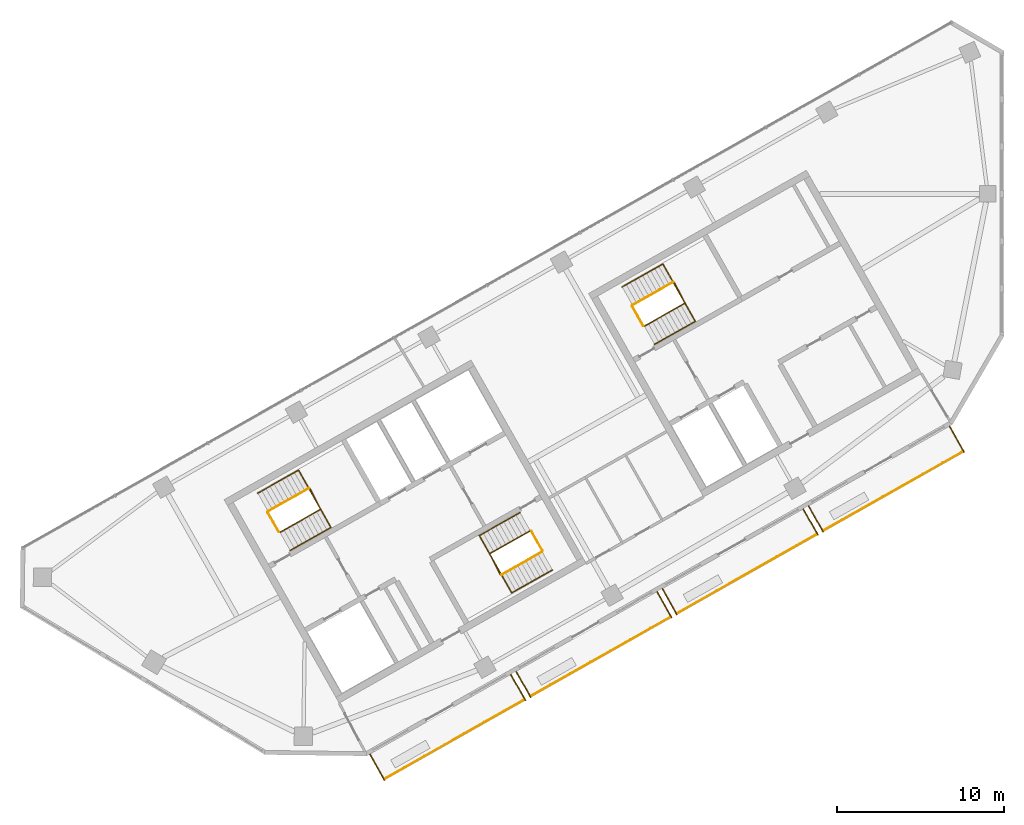
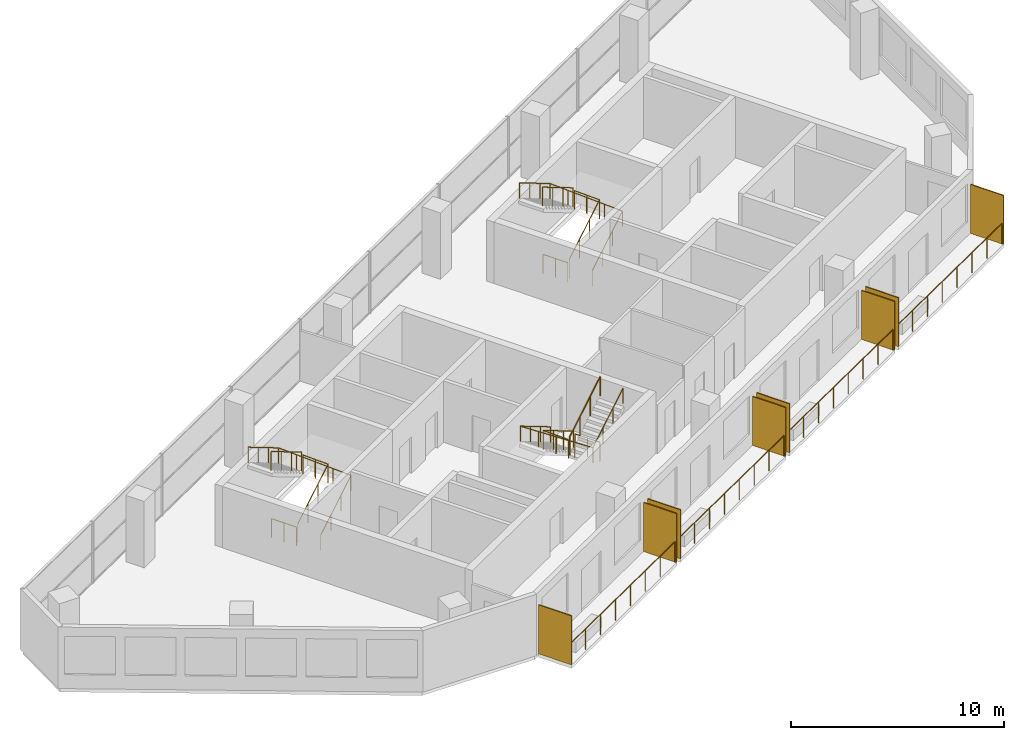
# One storey, part 9 of 10: 16 railings, 8 shading devices.
"""IFC4 building model written with IfcOpenShell, lengths in metres."""

from ifc_helpers import new_model, si_unit, direction, frame, origin, origin_2d, place, context, subcontext, project, spatial, rectangle, circle, extrude, material, layer, layer_set, type_object, element, save


model = new_model("IFC4")

# Units and contexts
model_context = context("Model", 3, precision=1e-05, world=origin(), true_north=direction((0.0, 1.0)))
body_context = subcontext(model_context, "Body", "Model", "MODEL_VIEW")
ifc_project = project(units=[si_unit("LENGTHUNIT", "METRE"), si_unit("AREAUNIT", "SQUARE_METRE"), si_unit("VOLUMEUNIT", "CUBIC_METRE"), si_unit("PLANEANGLEUNIT", "RADIAN"), si_unit("MASSUNIT", "GRAM", prefix="KILO")], contexts=[model_context])

# Site, building, storey
site_placement = place(None, origin())
site = spatial("IfcSite", under=ifc_project, at=site_placement, CompositionType="ELEMENT")
building_placement = place(site_placement, origin())
building = spatial("IfcBuilding", under=site, at=building_placement, Name="Binnacle Exchange Tower", CompositionType="ELEMENT")
storey_placement = place(building_placement, frame((0.0, 0.0, 327.89990234375)))
storey = spatial("IfcBuildingStorey", under=building, at=storey_placement, Name="L74", CompositionType="ELEMENT", Elevation=327.89990234375)

# Railings
ifc_material_1 = material(Name="Bronze anodised aluminium frame", Category="aluminium")
railing_type_1 = type_object("IfcRailingType", Name="GUARD 1200", PredefinedType="GUARDRAIL", material=ifc_material_1)
for number, where, name in (
    (1, (-37.006591796875, 24.94287109375, 0.0), "Balcony guard H07-B00 L74"),
    (2, (-28.24365234375, 29.900634765625, 0.0), "Balcony guard H07-B01 L74"),
):
    element("IfcRailing", number, at=place(storey_placement, frame(where)), inside=storey, type_object=railing_type_1, Name=name, PredefinedType="GUARDRAIL", context=body_context, shape_type="SweptSolid", body=[
        extrude(circle(Radius=0.02392578125, at=origin_2d()), frame((0.0, 0.0, 1.17578125), z_axis=(0.870359171481, 0.492417417055, 0.0), x_axis=(-0.492417417055, 0.870359171481, 0.0)), (0.0, 0.0, 1.0), 9.648193359375),
        extrude(circle(Radius=0.02099609375, at=origin_2d()), origin(), (0.0, 0.0, 1.0), 1.15185546875),
        extrude(circle(Radius=0.02099609375, at=origin_2d()), frame((1.19970703125, 0.6787109375, 0.0)), (0.0, 0.0, 1.0), 1.15185546875),
        extrude(circle(Radius=0.02099609375, at=origin_2d()), frame((2.399169921875, 1.357421875, 0.0)), (0.0, 0.0, 1.0), 1.15185546875),
        extrude(circle(Radius=0.02099609375, at=origin_2d()), frame((3.598876953125, 2.0361328125, 0.0)), (0.0, 0.0, 1.0), 1.15185546875),
        extrude(circle(Radius=0.02099609375, at=origin_2d()), frame((4.798583984375, 2.71484375, 0.0)), (0.0, 0.0, 1.0), 1.15185546875),
        extrude(circle(Radius=0.02099609375, at=origin_2d()), frame((5.998291015625, 3.3935546875, 0.0)), (0.0, 0.0, 1.0), 1.15185546875),
        extrude(circle(Radius=0.02099609375, at=origin_2d()), frame((7.19775390625, 4.072265625, 0.0)), (0.0, 0.0, 1.0), 1.15185546875),
        extrude(circle(Radius=0.02099609375, at=origin_2d()), frame((8.3974609375, 4.7509765625, 0.0)), (0.0, 0.0, 1.0), 1.15185546875),
    ])
railing_1_placement = place(storey_placement, frame((-19.480712890625, 34.8583984375, 0.0)))
element("IfcRailing", 3, at=railing_1_placement, inside=storey, type_object=railing_type_1, Name="Balcony guard H07-B02 L74", PredefinedType="GUARDRAIL", context=body_context, shape_type="SweptSolid", body=[
    extrude(circle(Radius=0.02392578125, at=origin_2d()), frame((0.0, 0.0, 1.17578125), z_axis=(0.870342190373, 0.492447430349, 0.0), x_axis=(-0.492447430349, 0.870342190373, 0.0)), (0.0, 0.0, 1.0), 9.648193359375),
    extrude(circle(Radius=0.02099609375, at=origin_2d()), origin(), (0.0, 0.0, 1.0), 1.15185546875),
    extrude(circle(Radius=0.02099609375, at=origin_2d()), frame((1.19970703125, 0.6787109375, 0.0)), (0.0, 0.0, 1.0), 1.15185546875),
    extrude(circle(Radius=0.02099609375, at=origin_2d()), frame((2.399169921875, 1.357421875, 0.0)), (0.0, 0.0, 1.0), 1.15185546875),
    extrude(circle(Radius=0.02099609375, at=origin_2d()), frame((3.598876953125, 2.0361328125, 0.0)), (0.0, 0.0, 1.0), 1.15185546875),
    extrude(circle(Radius=0.02099609375, at=origin_2d()), frame((4.79833984375, 2.715087890625, 0.0)), (0.0, 0.0, 1.0), 1.15185546875),
    extrude(circle(Radius=0.02099609375, at=origin_2d()), frame((5.998046875, 3.393798828125, 0.0)), (0.0, 0.0, 1.0), 1.15185546875),
    extrude(circle(Radius=0.02099609375, at=origin_2d()), frame((7.197509765625, 4.072509765625, 0.0)), (0.0, 0.0, 1.0), 1.15185546875),
    extrude(circle(Radius=0.02099609375, at=origin_2d()), frame((8.397216796875, 4.751220703125, 0.0)), (0.0, 0.0, 1.0), 1.15185546875),
])
railing_2_placement = place(storey_placement, frame((-10.7177734375, 39.81640625, 0.0)))
element("IfcRailing", 4, at=railing_2_placement, inside=storey, type_object=railing_type_1, Name="Balcony guard H07-B03 L74", PredefinedType="GUARDRAIL", context=body_context, shape_type="SweptSolid", body=[
    extrude(circle(Radius=0.02392578125, at=origin_2d()), frame((0.0, 0.0, 1.17578125), z_axis=(0.870353035673, 0.492428262079, 0.0), x_axis=(-0.492428262079, 0.870353035673, 0.0)), (0.0, 0.0, 1.0), 9.64794921875),
    extrude(circle(Radius=0.02099609375, at=origin_2d()), origin(), (0.0, 0.0, 1.0), 1.15185546875),
    extrude(circle(Radius=0.02099609375, at=origin_2d()), frame((1.19970703125, 0.6787109375, 0.0)), (0.0, 0.0, 1.0), 1.15185546875),
    extrude(circle(Radius=0.02099609375, at=origin_2d()), frame((2.399169921875, 1.357421875, 0.0)), (0.0, 0.0, 1.0), 1.15185546875),
    extrude(circle(Radius=0.02099609375, at=origin_2d()), frame((3.598876953125, 2.0361328125, 0.0)), (0.0, 0.0, 1.0), 1.15185546875),
    extrude(circle(Radius=0.02099609375, at=origin_2d()), frame((4.79833984375, 2.71484375, 0.0)), (0.0, 0.0, 1.0), 1.15185546875),
    extrude(circle(Radius=0.02099609375, at=origin_2d()), frame((5.998046875, 3.3935546875, 0.0)), (0.0, 0.0, 1.0), 1.15185546875),
    extrude(circle(Radius=0.02099609375, at=origin_2d()), frame((7.197509765625, 4.072265625, 0.0)), (0.0, 0.0, 1.0), 1.15185546875),
    extrude(circle(Radius=0.02099609375, at=origin_2d()), frame((8.397216796875, 4.7509765625, 0.0)), (0.0, 0.0, 1.0), 1.15185546875),
])

# Shading devices
ifc_material_2 = material(Name="Bronze aluminium louvre", Category="aluminium")
ifc_layer = layer(ifc_material_2, 0.06005859375)
ifc_layer_set = layer_set([ifc_layer], Name="PLANTED SCREEN 60x2800")
shading_device_type = type_object("IfcShadingDeviceType", Name="PLANTED SCREEN 60x2800", PredefinedType="USERDEFINED", material=ifc_layer_set)
for number, where, z_axis, x_axis, name in (
    (5, (-37.436279296875, 25.641845703125, 0.0), (0.0, 0.0, 1.0), (0.87035569594, 0.492423560103, 0.0), "Planted screen H07-B00a L74"),
    (6, (-28.98681640625, 30.42236328125, 0.0), (0.0, 0.0, 1.0), (0.87035569594, 0.492423560103, 0.0), "Planted screen H07-B00b L74"),
    (7, (-28.673583984375, 30.599609375, 0.0), (0.0, 0.0, 1.0), (0.87035569594, 0.492423560103, 0.0), "Planted screen H07-B01a L74"),
    (8, (-20.223876953125, 35.380126953125, 0.0), (0.0, 0.0, 1.0), (0.87035569594, 0.492423560103, 0.0), "Planted screen H07-B01b L74"),
    (9, (-19.91064453125, 35.5576171875, 0.0), (0.0, 0.0, 1.0), (0.87035569594, 0.492423560103, 0.0), "Planted screen H07-B02a L74"),
    (10, (-11.461181640625, 40.337890625, 0.0), (0.0, 0.0, 1.0), (0.87035569594, 0.492423560103, 0.0), "Planted screen H07-B02b L74"),
    (11, (-11.147705078125, 40.51513671875, 0.0), (0.0, 0.0, 1.0), (0.87035569594, 0.492423560103, 0.0), "Planted screen H07-B03a L74"),
    (12, (-2.697998046875, 45.2958984375, 0.0), (0.0, 0.0, 1.0), (0.87035569594, 0.492423560103, 0.0), "Planted screen H07-B03b L74"),
):
    element("IfcShadingDevice", number, at=place(storey_placement, frame(where, z_axis=z_axis, x_axis=x_axis)), inside=storey, type_object=shading_device_type, Name=name, ObjectType="SCREEN", PredefinedType="USERDEFINED", context=body_context, shape_type="SweptSolid", body=[
        extrude(rectangle(XDim=0.06005859375, YDim=1.800048828125, at=origin_2d()), origin(), (0.0, 0.0, 1.0), 2.800048828125),
    ])

# Railings
ifc_material_3 = material(Name="Steel guard rail", Category="steel")
railing_type_2 = type_object("IfcRailingType", Name="STAIR GUARD 1100", PredefinedType="GUARDRAIL", material=ifc_material_3)
railing_3_placement = place(storey_placement, frame((-43.26171875, 39.71728515625, 0.1728515625)))
element("IfcRailing", 13, at=railing_3_placement, inside=storey, type_object=railing_type_2, Name="L74 STA1 stair guard 1", PredefinedType="GUARDRAIL", context=body_context, shape_type="SweptSolid", body=[
    extrude(circle(Radius=0.02392578125, at=origin_2d()), frame((0.0, 0.0, 1.076171875), z_axis=(0.740737961854, 0.419123222656, 0.525017138862), x_axis=(-0.492453686477, 0.870338650569, 0.0)), (0.0, 0.0, 1.0), 3.2900390625),
    extrude(circle(Radius=0.02392578125, at=origin_2d()), frame((2.43701171875, 1.37890625, 2.80322265625), z_axis=(-0.461100321709, 0.887348011391, 0.0), x_axis=(-0.887348011391, -0.461100321709, 0.0)), (0.0, 0.0, 1.0), 1.40087890625),
    extrude(circle(Radius=0.02099609375, at=origin_2d()), origin(), (0.0, 0.0, 1.0), 1.052001953125),
    extrude(circle(Radius=0.02099609375, at=origin_2d()), frame((0.812255859375, 0.459716796875, 0.57568359375)), (0.0, 0.0, 1.0), 1.052001953125),
    extrude(circle(Radius=0.02099609375, at=origin_2d()), frame((1.624755859375, 0.919189453125, 1.151611328125)), (0.0, 0.0, 1.0), 1.052001953125),
    extrude(circle(Radius=0.02099609375, at=origin_2d()), frame((2.43701171875, 1.37890625, 1.727294921875)), (0.0, 0.0, 1.0), 1.052001953125),
    extrude(circle(Radius=0.02099609375, at=origin_2d()), frame((2.114013671875, 2.00048828125, 1.727294921875)), (0.0, 0.0, 1.0), 1.052001953125),
    extrude(circle(Radius=0.02099609375, at=origin_2d()), frame((1.791015625, 2.6220703125, 1.727294921875)), (0.0, 0.0, 1.0), 1.052001953125),
])
railing_4_placement = place(storey_placement, frame((-41.538818359375, 42.358154296875, 2.07275390625)))
element("IfcRailing", 14, at=railing_4_placement, inside=storey, type_object=railing_type_2, Name="L74 STA1 stair guard 2", PredefinedType="GUARDRAIL", context=body_context, shape_type="SweptSolid", body=[
    extrude(circle(Radius=0.02392578125, at=origin_2d()), frame((0.0, 0.0, 1.076171875), z_axis=(-0.740737961854, -0.419123222656, 0.525017138862), x_axis=(0.492453686477, -0.870338650569, 0.0)), (0.0, 0.0, 1.0), 3.2900390625),
    extrude(circle(Radius=0.02099609375, at=origin_2d()), origin(), (0.0, 0.0, 1.0), 1.052001953125),
    extrude(circle(Radius=0.02099609375, at=origin_2d()), frame((-0.812255859375, -0.459716796875, 0.57568359375)), (0.0, 0.0, 1.0), 1.052001953125),
    extrude(circle(Radius=0.02099609375, at=origin_2d()), frame((-1.624755859375, -0.919189453125, 1.151611328125)), (0.0, 0.0, 1.0), 1.052001953125),
    extrude(circle(Radius=0.02099609375, at=origin_2d()), frame((-2.43701171875, -1.37890625, 1.727294921875)), (0.0, 0.0, 1.0), 1.052001953125),
])
railing_5_placement = place(storey_placement, frame((-43.329833984375, 39.736328125, 0.0)))
element("IfcRailing", 15, at=railing_5_placement, inside=storey, type_object=railing_type_2, Name="L74 STA1 stair guard 3", PredefinedType="GUARDRAIL", context=body_context, shape_type="SweptSolid", body=[
    extrude(circle(Radius=0.02392578125, at=origin_2d()), frame((0.0, 0.0, 1.076171875), z_axis=(-0.4924922531, 0.870316827734, 0.0), x_axis=(-0.870316827734, -0.4924922531, 0.0)), (0.0, 0.0, 1.0), 1.349853515625),
    extrude(circle(Radius=0.02099609375, at=origin_2d()), origin(), (0.0, 0.0, 1.0), 1.052001953125),
    extrude(circle(Radius=0.02099609375, at=origin_2d()), frame((-0.33251953125, 0.58740234375, 0.0)), (0.0, 0.0, 1.0), 1.052001953125),
    extrude(circle(Radius=0.02099609375, at=origin_2d()), frame((-0.664794921875, 1.1748046875, 0.0)), (0.0, 0.0, 1.0), 1.052001953125),
])
railing_6_placement = place(storey_placement, frame((-28.265380859375, 39.814453125, 0.1728515625)))
element("IfcRailing", 16, at=railing_6_placement, inside=storey, type_object=railing_type_2, Name="L74 STA2 stair guard 1", PredefinedType="GUARDRAIL", context=body_context, shape_type="SweptSolid", body=[
    extrude(circle(Radius=0.02392578125, at=origin_2d()), frame((0.0, 0.0, 1.076171875), z_axis=(-0.740760999345, -0.419062048017, 0.525033467278), x_axis=(0.492387636113, -0.870376019777, 0.0)), (0.0, 0.0, 1.0), 3.289794921875),
    extrude(circle(Radius=0.02392578125, at=origin_2d()), frame((-2.43701171875, -1.378662109375, 2.80322265625), z_axis=(0.460963092712, -0.887419307406, 0.0), x_axis=(0.887419307406, 0.460963092712, 0.0)), (0.0, 0.0, 1.0), 1.40087890625),
    extrude(circle(Radius=0.02099609375, at=origin_2d()), origin(), (0.0, 0.0, 1.0), 1.052001953125),
    extrude(circle(Radius=0.02099609375, at=origin_2d()), frame((-0.812255859375, -0.45947265625, 0.57568359375)), (0.0, 0.0, 1.0), 1.052001953125),
    extrude(circle(Radius=0.02099609375, at=origin_2d()), frame((-1.624755859375, -0.919189453125, 1.151611328125)), (0.0, 0.0, 1.0), 1.052001953125),
    extrude(circle(Radius=0.02099609375, at=origin_2d()), frame((-2.43701171875, -1.378662109375, 1.727294921875)), (0.0, 0.0, 1.0), 1.052001953125),
    extrude(circle(Radius=0.02099609375, at=origin_2d()), frame((-2.1142578125, -2.000244140625, 1.727294921875)), (0.0, 0.0, 1.0), 1.052001953125),
    extrude(circle(Radius=0.02099609375, at=origin_2d()), frame((-1.791259765625, -2.621826171875, 1.727294921875)), (0.0, 0.0, 1.0), 1.052001953125),
])
railing_7_placement = place(storey_placement, frame((-29.988525390625, 37.173583984375, 2.07275390625)))
element("IfcRailing", 17, at=railing_7_placement, inside=storey, type_object=railing_type_2, Name="L74 STA2 stair guard 2", PredefinedType="GUARDRAIL", context=body_context, shape_type="SweptSolid", body=[
    extrude(circle(Radius=0.02392578125, at=origin_2d()), frame((0.0, 0.0, 1.076171875), z_axis=(0.740737961854, 0.419123222656, 0.525017138862), x_axis=(-0.492453686477, 0.870338650569, 0.0)), (0.0, 0.0, 1.0), 3.2900390625),
    extrude(circle(Radius=0.02099609375, at=origin_2d()), origin(), (0.0, 0.0, 1.0), 1.052001953125),
    extrude(circle(Radius=0.02099609375, at=origin_2d()), frame((0.812255859375, 0.459716796875, 0.57568359375)), (0.0, 0.0, 1.0), 1.052001953125),
    extrude(circle(Radius=0.02099609375, at=origin_2d()), frame((1.624755859375, 0.919189453125, 1.151611328125)), (0.0, 0.0, 1.0), 1.052001953125),
    extrude(circle(Radius=0.02099609375, at=origin_2d()), frame((2.43701171875, 1.37890625, 1.727294921875)), (0.0, 0.0, 1.0), 1.052001953125),
])
railing_8_placement = place(storey_placement, frame((-28.197265625, 39.795654296875, 0.0)))
element("IfcRailing", 18, at=railing_8_placement, inside=storey, type_object=railing_type_2, Name="L74 STA2 stair guard 3", PredefinedType="GUARDRAIL", context=body_context, shape_type="SweptSolid", body=[
    extrude(circle(Radius=0.02392578125, at=origin_2d()), frame((0.0, 0.0, 1.076171875), z_axis=(0.49241474071, -0.870360685654, 0.0), x_axis=(0.870360685654, 0.49241474071, 0.0)), (0.0, 0.0, 1.0), 1.35009765625),
    extrude(circle(Radius=0.02099609375, at=origin_2d()), origin(), (0.0, 0.0, 1.0), 1.052001953125),
    extrude(circle(Radius=0.02099609375, at=origin_2d()), frame((0.33251953125, -0.58740234375, 0.0)), (0.0, 0.0, 1.0), 1.052001953125),
    extrude(circle(Radius=0.02099609375, at=origin_2d()), frame((0.664794921875, -1.175048828125, 0.0)), (0.0, 0.0, 1.0), 1.052001953125),
])
railing_9_placement = place(storey_placement, frame((-21.423828125, 52.07275390625, 0.1728515625)))
element("IfcRailing", 19, at=railing_9_placement, inside=storey, type_object=railing_type_2, Name="L74 STC1 stair guard 1", PredefinedType="GUARDRAIL", context=body_context, shape_type="SweptSolid", body=[
    extrude(circle(Radius=0.02392578125, at=origin_2d()), frame((0.0, 0.0, 1.076171875), z_axis=(0.740760999345, 0.419062048017, 0.525033467278), x_axis=(-0.492387636113, 0.870376019777, 0.0)), (0.0, 0.0, 1.0), 3.289794921875),
    extrude(circle(Radius=0.02392578125, at=origin_2d()), frame((2.43701171875, 1.378662109375, 2.80322265625), z_axis=(-0.460963092712, 0.887419307406, 0.0), x_axis=(-0.887419307406, -0.460963092712, 0.0)), (0.0, 0.0, 1.0), 1.40087890625),
    extrude(circle(Radius=0.02099609375, at=origin_2d()), origin(), (0.0, 0.0, 1.0), 1.052001953125),
    extrude(circle(Radius=0.02099609375, at=origin_2d()), frame((0.812255859375, 0.45947265625, 0.57568359375)), (0.0, 0.0, 1.0), 1.052001953125),
    extrude(circle(Radius=0.02099609375, at=origin_2d()), frame((1.624755859375, 0.919189453125, 1.151611328125)), (0.0, 0.0, 1.0), 1.052001953125),
    extrude(circle(Radius=0.02099609375, at=origin_2d()), frame((2.43701171875, 1.378662109375, 1.727294921875)), (0.0, 0.0, 1.0), 1.052001953125),
    extrude(circle(Radius=0.02099609375, at=origin_2d()), frame((2.1142578125, 2.000244140625, 1.727294921875)), (0.0, 0.0, 1.0), 1.052001953125),
    extrude(circle(Radius=0.02099609375, at=origin_2d()), frame((1.791259765625, 2.621826171875, 1.727294921875)), (0.0, 0.0, 1.0), 1.052001953125),
])
railing_10_placement = place(storey_placement, frame((-19.70068359375, 54.71337890625, 2.07275390625)))
element("IfcRailing", 20, at=railing_10_placement, inside=storey, type_object=railing_type_2, Name="L74 STC1 stair guard 2", PredefinedType="GUARDRAIL", context=body_context, shape_type="SweptSolid", body=[
    extrude(circle(Radius=0.02392578125, at=origin_2d()), frame((0.0, 0.0, 1.076171875), z_axis=(-0.740760999345, -0.419062048017, 0.525033467278), x_axis=(0.492387636113, -0.870376019777, 0.0)), (0.0, 0.0, 1.0), 3.289794921875),
    extrude(circle(Radius=0.02099609375, at=origin_2d()), origin(), (0.0, 0.0, 1.0), 1.052001953125),
    extrude(circle(Radius=0.02099609375, at=origin_2d()), frame((-0.812255859375, -0.45947265625, 0.57568359375)), (0.0, 0.0, 1.0), 1.052001953125),
    extrude(circle(Radius=0.02099609375, at=origin_2d()), frame((-1.624755859375, -0.919189453125, 1.151611328125)), (0.0, 0.0, 1.0), 1.052001953125),
    extrude(circle(Radius=0.02099609375, at=origin_2d()), frame((-2.43701171875, -1.378662109375, 1.727294921875)), (0.0, 0.0, 1.0), 1.052001953125),
])
railing_11_placement = place(storey_placement, frame((-21.491943359375, 52.091552734375, 0.0)))
element("IfcRailing", 21, at=railing_11_placement, inside=storey, type_object=railing_type_2, Name="L74 STC1 stair guard 3", PredefinedType="GUARDRAIL", context=body_context, shape_type="SweptSolid", body=[
    extrude(circle(Radius=0.02392578125, at=origin_2d()), frame((0.0, 0.0, 1.076171875), z_axis=(-0.49241474071, 0.870360685654, 0.0), x_axis=(-0.870360685654, -0.49241474071, 0.0)), (0.0, 0.0, 1.0), 1.35009765625),
    extrude(circle(Radius=0.02099609375, at=origin_2d()), origin(), (0.0, 0.0, 1.0), 1.052001953125),
    extrude(circle(Radius=0.02099609375, at=origin_2d()), frame((-0.33251953125, 0.58740234375, 0.0)), (0.0, 0.0, 1.0), 1.052001953125),
    extrude(circle(Radius=0.02099609375, at=origin_2d()), frame((-0.664794921875, 1.175048828125, 0.0)), (0.0, 0.0, 1.0), 1.052001953125),
])
ifc_material_4 = material(Name="Steel handrail", Category="steel")
railing_type_3 = type_object("IfcRailingType", Name="STAIR HANDRAIL 900", PredefinedType="HANDRAIL", material=ifc_material_4)
railing_12_placement = place(storey_placement, frame((-42.646240234375, 38.62939453125, 0.1728515625)))
element("IfcRailing", 22, at=railing_12_placement, inside=storey, type_object=railing_type_3, Name="L74 STA1 stair handrail 1", PredefinedType="HANDRAIL", context=body_context, shape_type="SweptSolid", body=[
    extrude(circle(Radius=0.02392578125, at=origin_2d()), frame((0.0, 0.0, 0.8759765625), z_axis=(0.740760999345, 0.419062048017, 0.525033467278), x_axis=(-0.492387636113, 0.870376019777, 0.0)), (0.0, 0.0, 1.0), 3.289794921875),
    extrude(circle(Radius=0.02392578125, at=origin_2d()), frame((2.43701171875, 1.378662109375, 2.60302734375), z_axis=(-0.491944173491, 0.869531549026, 0.043655645871), x_axis=(-0.870361318571, -0.492413622004, 0.0)), (0.0, 0.0, 1.0), 3.953857421875),
    extrude(circle(Radius=0.02392578125, at=origin_2d()), frame((0.491943359375, 4.816650390625, 2.77587890625), z_axis=(-0.740760999345, -0.419062048017, 0.525033467278), x_axis=(0.492387636113, -0.870376019777, 0.0)), (0.0, 0.0, 1.0), 3.289794921875),
    extrude(circle(Radius=0.02099609375, at=origin_2d()), origin(), (0.0, 0.0, 1.0), 0.851806640625),
    extrude(circle(Radius=0.02099609375, at=origin_2d()), frame((0.812255859375, 0.45947265625, 0.57568359375)), (0.0, 0.0, 1.0), 0.851806640625),
    extrude(circle(Radius=0.02099609375, at=origin_2d()), frame((1.624755859375, 0.919189453125, 1.151611328125)), (0.0, 0.0, 1.0), 0.851806640625),
    extrude(circle(Radius=0.02099609375, at=origin_2d()), frame((2.43701171875, 1.378662109375, 1.727294921875)), (0.0, 0.0, 1.0), 0.851806640625),
    extrude(circle(Radius=0.02099609375, at=origin_2d()), frame((1.95068359375, 2.23828125, 1.7705078125)), (0.0, 0.0, 1.0), 0.851806640625),
    extrude(circle(Radius=0.02099609375, at=origin_2d()), frame((1.46435546875, 3.09765625, 1.8134765625)), (0.0, 0.0, 1.0), 0.851806640625),
    extrude(circle(Radius=0.02099609375, at=origin_2d()), frame((0.978271484375, 3.95703125, 1.856689453125)), (0.0, 0.0, 1.0), 0.851806640625),
    extrude(circle(Radius=0.02099609375, at=origin_2d()), frame((0.491943359375, 4.816650390625, 1.89990234375)), (0.0, 0.0, 1.0), 0.851806640625),
    extrude(circle(Radius=0.02099609375, at=origin_2d()), frame((-0.3203125, 4.357177734375, 2.4755859375)), (0.0, 0.0, 1.0), 0.851806640625),
    extrude(circle(Radius=0.02099609375, at=origin_2d()), frame((-1.1328125, 3.8974609375, 3.051513671875)), (0.0, 0.0, 1.0), 0.851806640625),
    extrude(circle(Radius=0.02099609375, at=origin_2d()), frame((-1.945068359375, 3.43798828125, 3.627197265625)), (0.0, 0.0, 1.0), 0.851806640625),
])
railing_13_placement = place(storey_placement, frame((-28.880859375, 40.90234375, 0.1728515625)))
element("IfcRailing", 23, at=railing_13_placement, inside=storey, type_object=railing_type_3, Name="L74 STA2 stair handrail 1", PredefinedType="HANDRAIL", context=body_context, shape_type="SweptSolid", body=[
    extrude(circle(Radius=0.02392578125, at=origin_2d()), frame((0.0, 0.0, 0.8759765625), z_axis=(-0.740760999345, -0.419062048017, 0.525033467278), x_axis=(0.492387636113, -0.870376019777, 0.0)), (0.0, 0.0, 1.0), 3.289794921875),
    extrude(circle(Radius=0.02392578125, at=origin_2d()), frame((-2.43701171875, -1.378662109375, 2.60302734375), z_axis=(0.491944173491, -0.869531549026, 0.043655645871), x_axis=(0.870361318571, 0.492413622004, 0.0)), (0.0, 0.0, 1.0), 3.953857421875),
    extrude(circle(Radius=0.02392578125, at=origin_2d()), frame((-0.491943359375, -4.816650390625, 2.77587890625), z_axis=(0.740737961854, 0.419123222656, 0.525017138862), x_axis=(-0.492453686477, 0.870338650569, 0.0)), (0.0, 0.0, 1.0), 3.2900390625),
    extrude(circle(Radius=0.02099609375, at=origin_2d()), origin(), (0.0, 0.0, 1.0), 0.851806640625),
    extrude(circle(Radius=0.02099609375, at=origin_2d()), frame((-0.812255859375, -0.45947265625, 0.57568359375)), (0.0, 0.0, 1.0), 0.851806640625),
    extrude(circle(Radius=0.02099609375, at=origin_2d()), frame((-1.624755859375, -0.919189453125, 1.151611328125)), (0.0, 0.0, 1.0), 0.851806640625),
    extrude(circle(Radius=0.02099609375, at=origin_2d()), frame((-2.43701171875, -1.378662109375, 1.727294921875)), (0.0, 0.0, 1.0), 0.851806640625),
    extrude(circle(Radius=0.02099609375, at=origin_2d()), frame((-1.95068359375, -2.23828125, 1.7705078125)), (0.0, 0.0, 1.0), 0.851806640625),
    extrude(circle(Radius=0.02099609375, at=origin_2d()), frame((-1.46435546875, -3.09765625, 1.8134765625)), (0.0, 0.0, 1.0), 0.851806640625),
    extrude(circle(Radius=0.02099609375, at=origin_2d()), frame((-0.978271484375, -3.95703125, 1.856689453125)), (0.0, 0.0, 1.0), 0.851806640625),
    extrude(circle(Radius=0.02099609375, at=origin_2d()), frame((-0.491943359375, -4.816650390625, 1.89990234375)), (0.0, 0.0, 1.0), 0.851806640625),
    extrude(circle(Radius=0.02099609375, at=origin_2d()), frame((0.3203125, -4.35693359375, 2.4755859375)), (0.0, 0.0, 1.0), 0.851806640625),
    extrude(circle(Radius=0.02099609375, at=origin_2d()), frame((1.1328125, -3.8974609375, 3.051513671875)), (0.0, 0.0, 1.0), 0.851806640625),
    extrude(circle(Radius=0.02099609375, at=origin_2d()), frame((1.945068359375, -3.437744140625, 3.627197265625)), (0.0, 0.0, 1.0), 0.851806640625),
])
railing_14_placement = place(storey_placement, frame((-20.808349609375, 50.984619140625, 0.1728515625)))
element("IfcRailing", 24, at=railing_14_placement, inside=storey, type_object=railing_type_3, Name="L74 STC1 stair handrail 1", PredefinedType="HANDRAIL", context=body_context, shape_type="SweptSolid", body=[
    extrude(circle(Radius=0.02392578125, at=origin_2d()), frame((0.0, 0.0, 0.8759765625), z_axis=(0.740737961854, 0.419123222656, 0.525017138862), x_axis=(-0.492453686477, 0.870338650569, 0.0)), (0.0, 0.0, 1.0), 3.2900390625),
    extrude(circle(Radius=0.02392578125, at=origin_2d()), frame((2.43701171875, 1.37890625, 2.60302734375), z_axis=(-0.49197058795, 0.869516486623, 0.043657989918), x_axis=(-0.87034633103, -0.492440112159, 0.0)), (0.0, 0.0, 1.0), 3.95361328125),
    extrude(circle(Radius=0.02392578125, at=origin_2d()), frame((0.491943359375, 4.816650390625, 2.77587890625), z_axis=(-0.740760999345, -0.419062048017, 0.525033467278), x_axis=(0.492387636113, -0.870376019777, 0.0)), (0.0, 0.0, 1.0), 3.289794921875),
    extrude(circle(Radius=0.02099609375, at=origin_2d()), origin(), (0.0, 0.0, 1.0), 0.851806640625),
    extrude(circle(Radius=0.02099609375, at=origin_2d()), frame((0.812255859375, 0.459716796875, 0.57568359375)), (0.0, 0.0, 1.0), 0.851806640625),
    extrude(circle(Radius=0.02099609375, at=origin_2d()), frame((1.624755859375, 0.919189453125, 1.151611328125)), (0.0, 0.0, 1.0), 0.851806640625),
    extrude(circle(Radius=0.02099609375, at=origin_2d()), frame((2.43701171875, 1.37890625, 1.727294921875)), (0.0, 0.0, 1.0), 0.851806640625),
    extrude(circle(Radius=0.02099609375, at=origin_2d()), frame((1.95068359375, 2.23828125, 1.7705078125)), (0.0, 0.0, 1.0), 0.851806640625),
    extrude(circle(Radius=0.02099609375, at=origin_2d()), frame((1.46435546875, 3.09765625, 1.8134765625)), (0.0, 0.0, 1.0), 0.851806640625),
    extrude(circle(Radius=0.02099609375, at=origin_2d()), frame((0.978271484375, 3.957275390625, 1.856689453125)), (0.0, 0.0, 1.0), 0.851806640625),
    extrude(circle(Radius=0.02099609375, at=origin_2d()), frame((0.491943359375, 4.816650390625, 1.89990234375)), (0.0, 0.0, 1.0), 0.851806640625),
    extrude(circle(Radius=0.02099609375, at=origin_2d()), frame((-0.3203125, 4.357177734375, 2.4755859375)), (0.0, 0.0, 1.0), 0.851806640625),
    extrude(circle(Radius=0.02099609375, at=origin_2d()), frame((-1.1328125, 3.8974609375, 3.051513671875)), (0.0, 0.0, 1.0), 0.851806640625),
    extrude(circle(Radius=0.02099609375, at=origin_2d()), frame((-1.945068359375, 3.43798828125, 3.627197265625)), (0.0, 0.0, 1.0), 0.851806640625),
])

save(model, "model.ifc")
